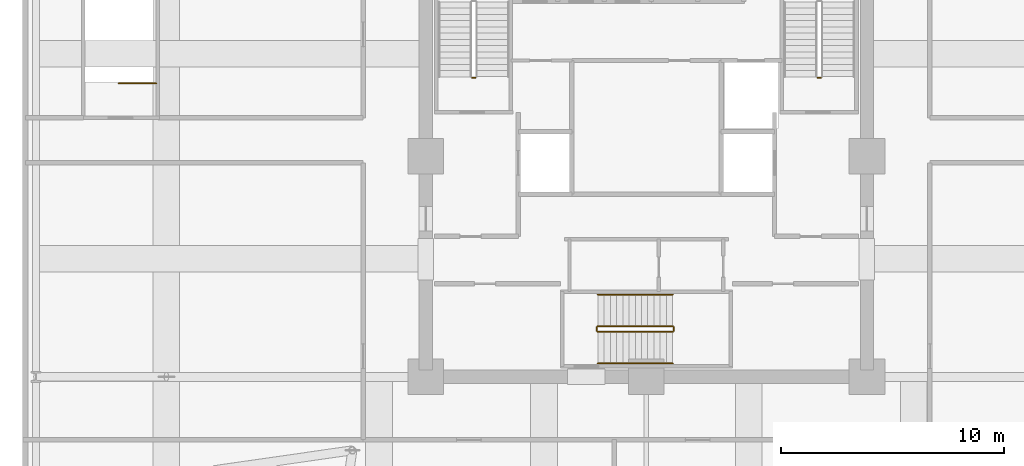
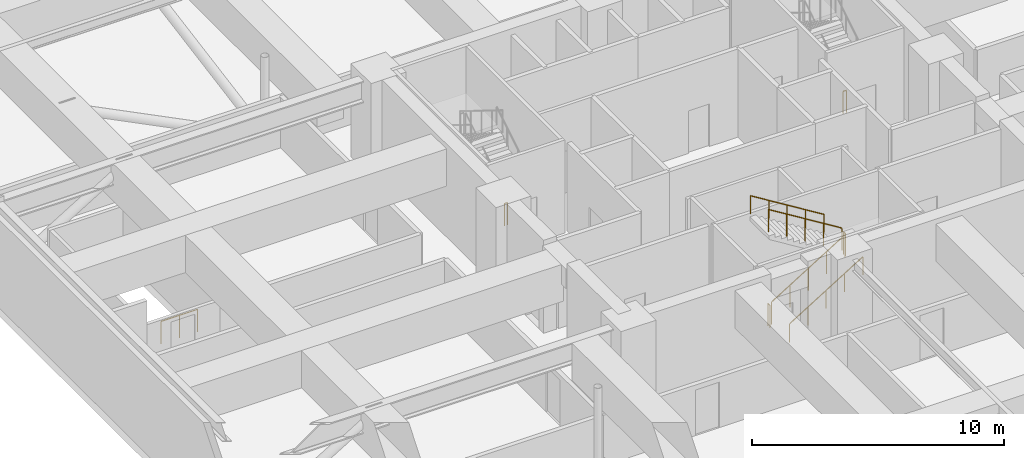
# One storey, part 15 of 16: 9 railings.
"""IFC4 building model written with IfcOpenShell, lengths in metres."""

from ifc_helpers import new_model, si_unit, direction, frame, origin, origin_2d, place, context, subcontext, project, spatial, circle, extrude, material, type_object, element, save


model = new_model("IFC4")

# Units and contexts
model_context = context("Model", 3, precision=1e-05, world=origin(), true_north=direction((0.0, 1.0)))
body_context = subcontext(model_context, "Body", "Model", "MODEL_VIEW")
ifc_project = project(units=[si_unit("LENGTHUNIT", "METRE"), si_unit("AREAUNIT", "SQUARE_METRE"), si_unit("VOLUMEUNIT", "CUBIC_METRE"), si_unit("PLANEANGLEUNIT", "RADIAN"), si_unit("MASSUNIT", "GRAM", prefix="KILO")], contexts=[model_context])

# Site, building, storey
site_placement = place(None, origin())
site = spatial("IfcSite", under=ifc_project, at=site_placement, CompositionType="ELEMENT")
building_placement = place(site_placement, origin())
building = spatial("IfcBuilding", under=site, at=building_placement, Name="Kolvaren Belvedere", CompositionType="ELEMENT")
storey_placement = place(building_placement, frame((0.0, 0.0, 19.300048828125)))
storey = spatial("IfcBuildingStorey", under=building, at=storey_placement, Name="L05", CompositionType="ELEMENT", Elevation=19.300048828125)

# Railings
ifc_material_1 = material(Name="Brushed stainless-steel handrail", Category="steel")
railing_type_1 = type_object("IfcRailingType", Name="RL-HANDRAIL-920", PredefinedType="HANDRAIL", material=ifc_material_1)
railing_1_placement = place(storey_placement, frame((-2.179931640625, -9.300048828125, 0.173095703125)))
element("IfcRailing", 1, at=railing_1_placement, inside=storey, type_object=railing_type_1, Name="L05 ST-3 stair handrail 1", PredefinedType="HANDRAIL", context=body_context, shape_type="SweptSolid", body=[
    extrude(circle(Radius=0.02392578125, at=origin_2d()), frame((0.0, 0.0, 0.8759765625), z_axis=(0.850606129759, 0.0, 0.525803396734), x_axis=(0.0, 1.0, 0.0)), (0.0, 0.0, 1.0), 3.949951171875),
    extrude(circle(Radius=0.02099609375, at=origin_2d()), origin(), (0.0, 0.0, 1.0), 0.851806640625),
    extrude(circle(Radius=0.02099609375, at=origin_2d()), frame((0.83984375, 0.0, 0.519287109375)), (0.0, 0.0, 1.0), 0.851806640625),
    extrude(circle(Radius=0.02099609375, at=origin_2d()), frame((1.679931640625, 0.0, 1.03857421875)), (0.0, 0.0, 1.0), 0.851806640625),
    extrude(circle(Radius=0.02099609375, at=origin_2d()), frame((2.52001953125, 0.0, 1.5576171875)), (0.0, 0.0, 1.0), 0.851806640625),
    extrude(circle(Radius=0.02099609375, at=origin_2d()), frame((3.35986328125, 0.0, 2.076904296875)), (0.0, 0.0, 1.0), 0.851806640625),
])
railing_2_placement = place(storey_placement, frame((1.179931640625, -6.2099609375, 2.423095703125)))
element("IfcRailing", 2, at=railing_2_placement, inside=storey, type_object=railing_type_1, Name="L05 ST-3 stair handrail 2", PredefinedType="HANDRAIL", context=body_context, shape_type="SweptSolid", body=[
    extrude(circle(Radius=0.02392578125, at=origin_2d()), frame((0.0, 0.0, 0.8759765625), z_axis=(-0.850606129759, 0.0, 0.525803396734), x_axis=(0.0, -1.0, 0.0)), (0.0, 0.0, 1.0), 3.949951171875),
    extrude(circle(Radius=0.02099609375, at=origin_2d()), origin(), (0.0, 0.0, 1.0), 0.851806640625),
    extrude(circle(Radius=0.02099609375, at=origin_2d()), frame((-0.83984375, 0.0, 0.519287109375)), (0.0, 0.0, 1.0), 0.851806640625),
    extrude(circle(Radius=0.02099609375, at=origin_2d()), frame((-1.679931640625, 0.0, 1.03857421875)), (0.0, 0.0, 1.0), 0.851806640625),
    extrude(circle(Radius=0.02099609375, at=origin_2d()), frame((-2.52001953125, 0.0, 1.5576171875)), (0.0, 0.0, 1.0), 0.851806640625),
    extrude(circle(Radius=0.02099609375, at=origin_2d()), frame((-3.35986328125, 0.0, 2.076904296875)), (0.0, 0.0, 1.0), 0.851806640625),
])
ifc_material_2 = material(Name="Painted tubular steel stair guard", Category="steel")
railing_type_2 = type_object("IfcRailingType", Name="RL-STGUARD-1100", PredefinedType="GUARDRAIL", material=ifc_material_2)
for number, where, name in (
    (3, (-7.679931640625, 3.52001953125, 0.0), "L05 ST-1 stair guard 4"),
    (4, (7.830078125, 3.52001953125, 0.0), "L05 ST-2 stair guard 4"),
):
    element("IfcRailing", number, at=place(storey_placement, frame(where)), inside=storey, type_object=railing_type_2, Name=name, PredefinedType="GUARDRAIL", context=body_context, shape_type="SweptSolid", body=[
        extrude(circle(Radius=0.02392578125, at=origin_2d()), frame((0.0, 0.0, 1.076171875), z_axis=(-1.0, 0.0, 0.0), x_axis=(0.0, -1.0, 0.0)), (0.0, 0.0, 1.0), 0.150146484375),
        extrude(circle(Radius=0.02099609375, at=origin_2d()), origin(), (0.0, 0.0, 1.0), 1.052001953125),
        extrude(circle(Radius=0.02099609375, at=origin_2d()), frame((-0.150146484375, 0.0, 0.0)), (0.0, 0.0, 1.0), 1.052001953125),
    ])
railing_3_placement = place(storey_placement, frame((-2.179931640625, -7.8798828125, 0.173095703125)))
element("IfcRailing", 5, at=railing_3_placement, inside=storey, type_object=railing_type_2, Name="L05 ST-3 stair guard 1", PredefinedType="GUARDRAIL", context=body_context, shape_type="SweptSolid", body=[
    extrude(circle(Radius=0.02392578125, at=origin_2d()), frame((0.0, 0.0, 1.076171875), z_axis=(0.850606129759, 0.0, 0.525803396734), x_axis=(0.0, 1.0, 0.0)), (0.0, 0.0, 1.0), 3.949951171875),
    extrude(circle(Radius=0.02099609375, at=origin_2d()), origin(), (0.0, 0.0, 1.0), 1.052001953125),
    extrude(circle(Radius=0.02099609375, at=origin_2d()), frame((0.83984375, 0.0, 0.519287109375)), (0.0, 0.0, 1.0), 1.052001953125),
    extrude(circle(Radius=0.02099609375, at=origin_2d()), frame((1.679931640625, 0.0, 1.03857421875)), (0.0, 0.0, 1.0), 1.052001953125),
    extrude(circle(Radius=0.02099609375, at=origin_2d()), frame((2.52001953125, 0.0, 1.5576171875)), (0.0, 0.0, 1.0), 1.052001953125),
    extrude(circle(Radius=0.02099609375, at=origin_2d()), frame((3.35986328125, 0.0, 2.076904296875)), (0.0, 0.0, 1.0), 1.052001953125),
])
railing_4_placement = place(storey_placement, frame((1.22998046875, -7.830078125, 2.25)))
element("IfcRailing", 6, at=railing_4_placement, inside=storey, type_object=railing_type_2, Name="L05 ST-3 stair guard 2", PredefinedType="GUARDRAIL", context=body_context, shape_type="SweptSolid", body=[
    extrude(circle(Radius=0.02392578125, at=origin_2d()), frame((0.0, 0.0, 1.076171875), z_axis=(0.0, 1.0, 0.0), x_axis=(-1.0, 0.0, 0.0)), (0.0, 0.0, 1.0), 0.150146484375),
    extrude(circle(Radius=0.02099609375, at=origin_2d()), origin(), (0.0, 0.0, 1.0), 1.052001953125),
    extrude(circle(Radius=0.02099609375, at=origin_2d()), frame((0.0, 0.150146484375, 0.0)), (0.0, 0.0, 1.0), 1.052001953125),
])
railing_5_placement = place(storey_placement, frame((1.179931640625, -7.6298828125, 2.423095703125)))
element("IfcRailing", 7, at=railing_5_placement, inside=storey, type_object=railing_type_2, Name="L05 ST-3 stair guard 3", PredefinedType="GUARDRAIL", context=body_context, shape_type="SweptSolid", body=[
    extrude(circle(Radius=0.02392578125, at=origin_2d()), frame((0.0, 0.0, 1.076171875), z_axis=(-0.850606129759, 0.0, 0.525803396734), x_axis=(0.0, -1.0, 0.0)), (0.0, 0.0, 1.0), 3.949951171875),
    extrude(circle(Radius=0.02099609375, at=origin_2d()), origin(), (0.0, 0.0, 1.0), 1.052001953125),
    extrude(circle(Radius=0.02099609375, at=origin_2d()), frame((-0.83984375, 0.0, 0.519287109375)), (0.0, 0.0, 1.0), 1.052001953125),
    extrude(circle(Radius=0.02099609375, at=origin_2d()), frame((-1.679931640625, 0.0, 1.03857421875)), (0.0, 0.0, 1.0), 1.052001953125),
    extrude(circle(Radius=0.02099609375, at=origin_2d()), frame((-2.52001953125, 0.0, 1.5576171875)), (0.0, 0.0, 1.0), 1.052001953125),
    extrude(circle(Radius=0.02099609375, at=origin_2d()), frame((-3.35986328125, 0.0, 2.076904296875)), (0.0, 0.0, 1.0), 1.052001953125),
])
railing_6_placement = place(storey_placement, frame((-2.22998046875, -7.830078125, 0.0)))
element("IfcRailing", 8, at=railing_6_placement, inside=storey, type_object=railing_type_2, Name="L05 ST-3 stair guard 4", PredefinedType="GUARDRAIL", context=body_context, shape_type="SweptSolid", body=[
    extrude(circle(Radius=0.02392578125, at=origin_2d()), frame((0.0, 0.0, 1.076171875), z_axis=(0.0, 1.0, 0.0), x_axis=(-1.0, 0.0, 0.0)), (0.0, 0.0, 1.0), 0.150146484375),
    extrude(circle(Radius=0.02099609375, at=origin_2d()), origin(), (0.0, 0.0, 1.0), 1.052001953125),
    extrude(circle(Radius=0.02099609375, at=origin_2d()), frame((0.0, 0.150146484375, 0.0)), (0.0, 0.0, 1.0), 1.052001953125),
])
railing_7_placement = place(storey_placement, frame((-22.010009765625, 3.27001953125, 0.0)))
element("IfcRailing", 9, at=railing_7_placement, inside=storey, type_object=railing_type_2, Name="L05 ST-P1 top well guard 1", PredefinedType="GUARDRAIL", context=body_context, shape_type="SweptSolid", body=[
    extrude(circle(Radius=0.02392578125, at=origin_2d()), frame((0.0, 0.0, 1.076171875), z_axis=(-1.0, 0.0, 0.0), x_axis=(0.0, -1.0, 0.0)), (0.0, 0.0, 1.0), 1.669921875),
    extrude(circle(Radius=0.02099609375, at=origin_2d()), origin(), (0.0, 0.0, 1.0), 1.052001953125),
    extrude(circle(Radius=0.02099609375, at=origin_2d()), frame((-0.8349609375, 0.0, 0.0)), (0.0, 0.0, 1.0), 1.052001953125),
    extrude(circle(Radius=0.02099609375, at=origin_2d()), frame((-1.669921875, 0.0, 0.0)), (0.0, 0.0, 1.0), 1.052001953125),
])

save(model, "model.ifc")
